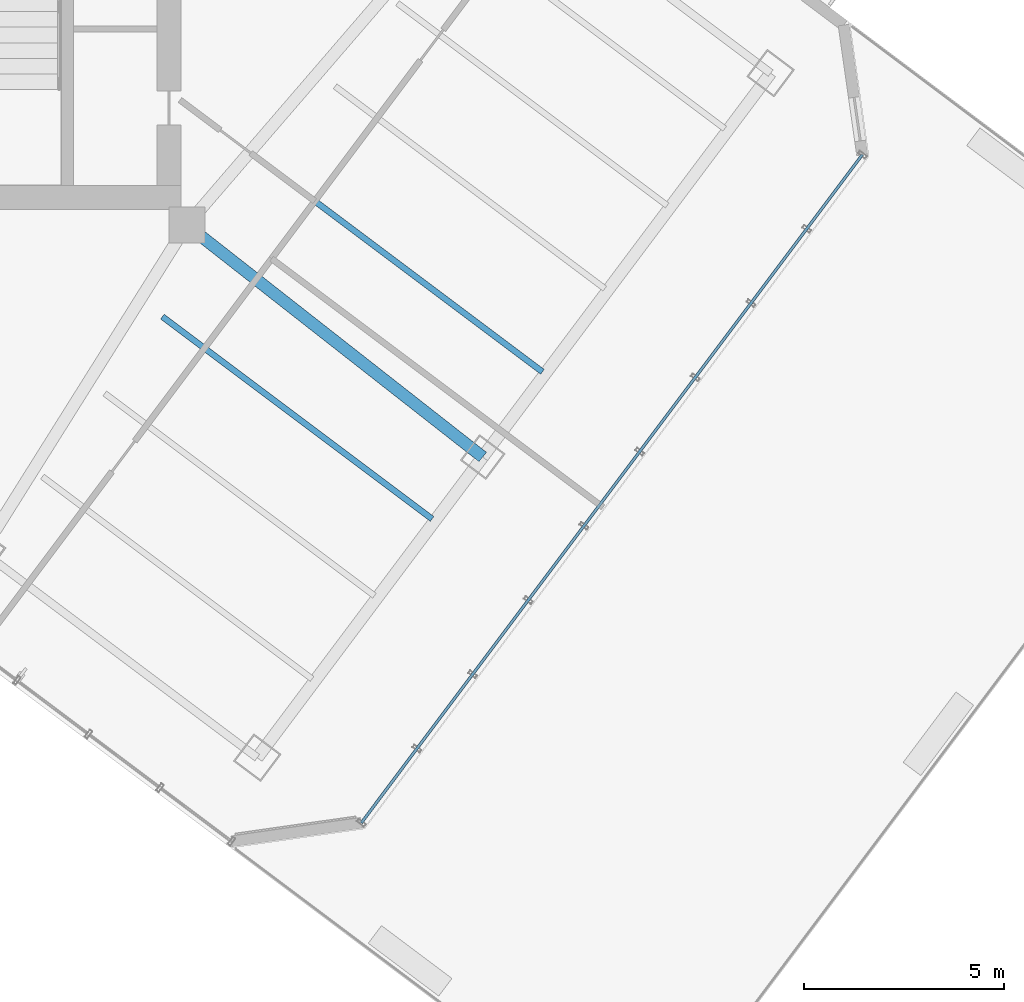
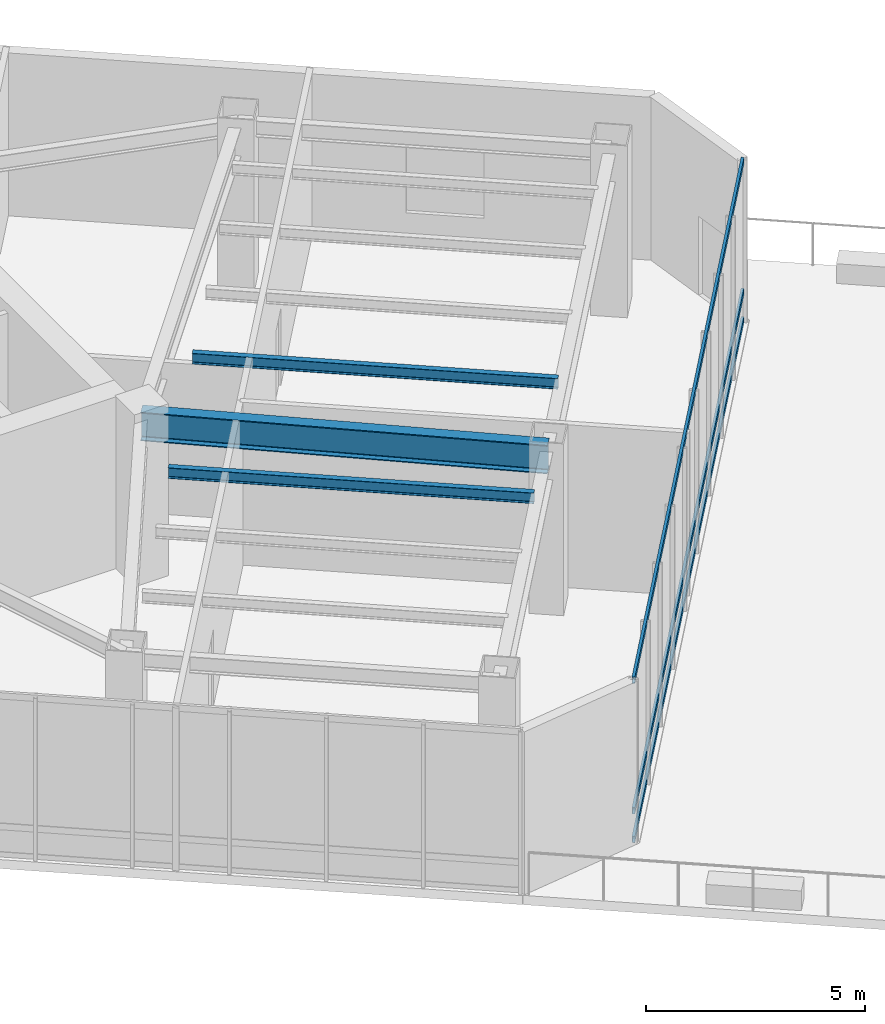
# One storey, part 11 of 30: 3 beams, 3 members, 1 element without a shape of its own.
"""IFC4 building model written with IfcOpenShell, lengths in metres."""

import ifcopenshell
import ifcopenshell.guid

model = None  # the IFC model being written
_history = None  # IfcOwnerHistory: only IFC2X3 demands one
_inside = {}  # id of a spatial element -> (the spatial element, [elements in it])
_under = {}  # id of a project, library or spatial element -> (it, [spatial elements below it])
_declared = {}  # id of a project -> (the project, [libraries it declares])
_typed = {}  # id of a type object -> (the type object, [elements of that type])
_made_of = {}  # id of a material, layer set ... -> (it, [elements and type objects made of it])


def new_model(schema):
    """Start an empty IFC model of exactly this schema.

    Asked for "IFC4X3", IfcOpenShell would pick the latest addendum, in which some entities
    have other attributes; the version numbers below select the first issue.
    IFC2X3 requires an IfcOwnerHistory on every rooted entity: one is made here for all.
    """
    global model, _history
    if schema == "IFC4X3":
        model = ifcopenshell.file(schema_version=(4, 3, 0, 0))
    else:
        model = ifcopenshell.file(schema=schema)
    _inside.clear()
    _under.clear()
    _declared.clear()
    _typed.clear()
    _made_of.clear()
    _history = None
    if model.schema == "IFC2X3":
        org = make("IfcOrganization", Name="unknown")
        user = make(
            "IfcPersonAndOrganization",
            ThePerson=make("IfcPerson", FamilyName="unknown"),
            TheOrganization=org,
        )
        app = make(
            "IfcApplication",
            ApplicationDeveloper=org,
            Version="unknown",
            ApplicationFullName="unknown",
            ApplicationIdentifier="unknown",
        )
        _history = make(
            "IfcOwnerHistory",
            OwningUser=user,
            OwningApplication=app,
            ChangeAction="ADDED",
            CreationDate=0,
        )
    return model


def make(cls, **values):
    """One entity of the class cls with the attributes given. An attribute that is None is left unset."""
    return model.create_entity(
        cls, **{name: value for name, value in values.items() if value is not None}
    )


def rooted(cls, **values):
    """An entity with a GlobalId (a new one), such as an element, a storey or a relation."""
    return make(cls, GlobalId=ifcopenshell.guid.new(), OwnerHistory=_history, **values)


def si_unit(unit_type, name, prefix=None):
    """IfcSIUnit, for example si_unit("LENGTHUNIT", "METRE", prefix="MILLI")."""
    return make("IfcSIUnit", UnitType=unit_type, Prefix=prefix, Name=name)


def assignment(units):
    """IfcUnitAssignment: the units of a project."""
    return None if units is None else make("IfcUnitAssignment", Units=units)


def point(xyz):
    """IfcCartesianPoint."""
    return None if xyz is None else make("IfcCartesianPoint", Coordinates=xyz)


def direction(xyz):
    """IfcDirection."""
    return None if xyz is None else make("IfcDirection", DirectionRatios=xyz)


def frame(location, z_axis=None, x_axis=None):
    """IfcAxis2Placement3D, a coordinate frame: its origin and axes. An axis left out is left unset."""
    return make(
        "IfcAxis2Placement3D",
        Location=point(location),
        Axis=direction(z_axis),
        RefDirection=direction(x_axis),
    )


def frame_2d(location, x_axis=None):
    """IfcAxis2Placement2D, a coordinate frame in the plane: its origin and x axis."""
    return make(
        "IfcAxis2Placement2D", Location=point(location), RefDirection=direction(x_axis)
    )


def origin():
    """The frame at (0, 0, 0) with its axes left unset."""
    return frame((0.0, 0.0, 0.0))


def origin_2d():
    """The frame at (0, 0) in the plane with its x axis left unset."""
    return frame_2d((0.0, 0.0))


def place(relative_to, where):
    """IfcLocalPlacement: puts the frame where relative to a parent placement (None: the world)."""
    return make(
        "IfcLocalPlacement", PlacementRelTo=relative_to, RelativePlacement=where
    )


def context(
    kind, dimensions, precision=None, world=None, true_north=None, identifier=None
):
    """IfcGeometricRepresentationContext, for example the 3D "Model" context."""
    return make(
        "IfcGeometricRepresentationContext",
        ContextIdentifier=identifier,
        ContextType=kind,
        CoordinateSpaceDimension=dimensions,
        Precision=precision,
        WorldCoordinateSystem=world,
        TrueNorth=true_north,
    )


def subcontext(parent, identifier, kind, view, scale=None):
    """IfcGeometricRepresentationSubContext, for example "Body" below "Model"."""
    return make(
        "IfcGeometricRepresentationSubContext",
        ContextIdentifier=identifier,
        ContextType=kind,
        ParentContext=parent,
        TargetScale=scale,
        TargetView=view,
    )


def project(units=None, contexts=None):
    """IfcProject with its units and contexts."""
    return rooted(
        "IfcProject",
        Name="project",
        RepresentationContexts=contexts,
        UnitsInContext=assignment(units),
    )


def spatial(cls, under=None, at=None, **own):
    """A site, building, storey or space (cls), placed at a placement, below another one or the project."""
    s = rooted(cls, ObjectPlacement=at, **own)
    if under is not None:
        _under.setdefault(under.id(), (under, []))[1].append(s)
    return s


def profile(cls, at=None, kind="AREA", **sizes):
    """A parametric profile (cls). Its sizes go by their IFC names, for example OverallWidth=200.0."""
    return make(cls, ProfileType=kind, Position=at, **sizes)


def hollow_rectangle(**sizes):
    """IfcRectangleHollowProfileDef."""
    return profile("IfcRectangleHollowProfileDef", **sizes)


def i_section(**sizes):
    """IfcIShapeProfileDef."""
    return profile("IfcIShapeProfileDef", **sizes)


def extrude(swept, where, along, depth):
    """IfcExtrudedAreaSolid: the profile swept, set in the frame where, extruded along a direction by depth."""
    return make(
        "IfcExtrudedAreaSolid",
        SweptArea=swept,
        Position=where,
        ExtrudedDirection=direction(along),
        Depth=depth,
    )


def shape(context_of_items, identifier, shape_type, items):
    """IfcShapeRepresentation: the items that make up one representation, for example the "Body"."""
    return make(
        "IfcShapeRepresentation",
        ContextOfItems=context_of_items,
        RepresentationIdentifier=identifier,
        RepresentationType=shape_type,
        Items=items,
    )


def material(Name=None, Category=None):
    """IfcMaterial."""
    return make("IfcMaterial", Name=Name, Category=Category)


def layer(
    of_material, thickness, ventilated=None, Name=None, Category=None, Priority=None
):
    """IfcMaterialLayer: one layer of a wall or slab, of a material (None: an air gap)."""
    return make(
        "IfcMaterialLayer",
        Material=of_material,
        LayerThickness=thickness,
        IsVentilated=ventilated,
        Name=Name,
        Category=Category,
        Priority=Priority,
    )


def layer_set(layers, Name=None):
    """IfcMaterialLayerSet."""
    return make("IfcMaterialLayerSet", MaterialLayers=layers, LayerSetName=Name)


def material_profile(
    of_material, cross_section, Name=None, Category=None, Priority=None
):
    """IfcMaterialProfile: a cross section and its material."""
    return make(
        "IfcMaterialProfile",
        Name=Name,
        Material=of_material,
        Profile=cross_section,
        Priority=Priority,
        Category=Category,
    )


def profile_set(profiles, Name=None, composite=None):
    """IfcMaterialProfileSet."""
    return make(
        "IfcMaterialProfileSet",
        Name=Name,
        MaterialProfiles=profiles,
        CompositeProfile=composite,
    )


def made_of(thing, what):
    """Note that an element or type object is made of a material, layer set ...; save() writes the relation."""
    if what is not None:
        _made_of.setdefault(what.id(), (what, []))[1].append(thing)
    return thing


def type_object(cls, material=None, **own):
    """A type object (cls), such as IfcWallType, which elements share."""
    return made_of(rooted(cls, **own), material)


def element(
    cls,
    number,
    at=None,
    inside=None,
    cuts=None,
    type_object=None,
    material=None,
    context=None,
    identifier="Body",
    shape_type=None,
    held_by="IfcProductDefinitionShape",
    body=None,
    shapes=None,
    **own,
):
    """One element of the class cls, such as IfcWall. Its Tag is "e" and its number.

    at: its placement. inside: the storey or other place that contains it. cuts: it is an
    opening in that element (IfcRelVoidsElement). A single representation is given by context,
    identifier, shape_type and body (its items); several are given by shapes. held_by: the class
    of the entity that holds the representations. save() writes the other relations.
    """
    e = rooted(cls, Tag="e%d" % number, ObjectPlacement=at, **own)
    if body is not None:
        shapes = [shape(context, identifier, shape_type, body)]
    if shapes is not None:
        e.Representation = make(held_by, Representations=shapes)
    if inside is not None:
        _inside.setdefault(inside.id(), (inside, []))[1].append(e)
    if cuts is not None:
        rooted(
            "IfcRelVoidsElement", RelatingBuildingElement=cuts, RelatedOpeningElement=e
        )
    if type_object is not None:
        _typed.setdefault(type_object.id(), (type_object, []))[1].append(e)
    return made_of(e, material)


def aggregate(whole, parts):
    """IfcRelAggregates: a whole, such as a stair, and the parts it consists of."""
    return rooted("IfcRelAggregates", RelatingObject=whole, RelatedObjects=parts)


def save(model, path):
    """Write the relations noted so far, then the file.

    IfcRelAggregates (storeys below a building ...), IfcRelContainedInSpatialStructure (elements
    in a storey), IfcRelDefinesByType, IfcRelAssociatesMaterial and IfcRelDeclares: one each for
    every whole, place, type object, material and project.
    """
    for whole, parts in _under.values():
        aggregate(whole, parts)
    for where, things in _inside.values():
        rooted(
            "IfcRelContainedInSpatialStructure",
            RelatedElements=things,
            RelatingStructure=where,
        )
    for kind, things in _typed.values():
        rooted("IfcRelDefinesByType", RelatedObjects=things, RelatingType=kind)
    for what, things in _made_of.values():
        rooted("IfcRelAssociatesMaterial", RelatedObjects=things, RelatingMaterial=what)
    for by, libraries in _declared.values():
        rooted("IfcRelDeclares", RelatingContext=by, RelatedDefinitions=libraries)
    model.write(path)


model = new_model("IFC4")

# Units and contexts
model_context = context("Model", 3, precision=1e-05, world=origin(), true_north=direction((0.0, 1.0)))
body_context = subcontext(model_context, "Body", "Model", "MODEL_VIEW")
ifc_project = project(units=[si_unit("LENGTHUNIT", "METRE"), si_unit("AREAUNIT", "SQUARE_METRE"), si_unit("VOLUMEUNIT", "CUBIC_METRE"), si_unit("PLANEANGLEUNIT", "RADIAN"), si_unit("MASSUNIT", "GRAM", prefix="KILO")], contexts=[model_context])

# Site, building, storey
site_placement = place(None, origin())
site = spatial("IfcSite", under=ifc_project, at=site_placement, CompositionType="ELEMENT")
building_placement = place(site_placement, origin())
building = spatial("IfcBuilding", under=site, at=building_placement, Name="Hatsunagi Terrace Concourse", CompositionType="ELEMENT")
storey_placement = place(building_placement, frame((0.0, 0.0, 130.050048828125)))
storey = spatial("IfcBuildingStorey", under=building, at=storey_placement, Name="L34", CompositionType="ELEMENT", Elevation=130.050048828125)

# Curtain wall, members
ifc_material_1 = material(Name="Anodised Aluminium Alloy 6063-T5", Category="aluminium")
ifc_layer = layer(ifc_material_1, 0.199951171875)
ifc_layer_set = layer_set([ifc_layer], Name="SkyLobbyAtrium_CW05")
curtain_wall_type = type_object("IfcCurtainWallType", Name="SkyLobbyAtrium_CW05", PredefinedType="NOTDEFINED", material=ifc_layer_set)
curtain_wall_placement = place(storey_placement, origin())
curtain_wall = element("IfcCurtainWall", 1, at=curtain_wall_placement, inside=storey, type_object=curtain_wall_type, Name="Unitised Curtain Wall CW-05 CW-L34-03", PredefinedType="NOTDEFINED")
ifc_material_2 = material(Name="Anodised Aluminium Alloy 6063-T5", Category="aluminium")
ifc_material_profile_1 = material_profile(ifc_material_2, hollow_rectangle(XDim=0.070068359375, YDim=0.179931640625, WallThickness=0.00390625, at=origin_2d()), Name="ALU-TRN-180x70x4")
ifc_profile_set_1 = profile_set([ifc_material_profile_1], Name="Anodised Aluminium Alloy 6063-T5")
member_type = type_object("IfcMemberType", Name="CurtainWallTransom_Heavy_180x70", PredefinedType="USERDEFINED", material=ifc_profile_set_1)
member_1_placement = place(storey_placement, frame((60.693115234375, 25.9580078125, 0.050048828125), z_axis=(-0.599970072971, -0.800022444397, 0.0), x_axis=(0.800022444397, -0.599970072971, 0.0)))
member_1 = element("IfcMember", 2, at=member_1_placement, type_object=member_type, Name="Curtain Wall Transom TRN-01", ObjectType="TRANSOM", PredefinedType="USERDEFINED", context=body_context, shape_type="SweptSolid", body=[
    extrude(hollow_rectangle(XDim=0.070068359375, YDim=0.179931640625, WallThickness=0.00390625, at=origin_2d()), origin(), (0.0, 0.0, 1.0), 20.884521484375),
])
member_2_placement = place(storey_placement, frame((60.693115234375, 25.9580078125, 0.849853515625), z_axis=(-0.599970072971, -0.800022444397, 0.0), x_axis=(0.800022444397, -0.599970072971, 0.0)))
member_2 = element("IfcMember", 3, at=member_2_placement, type_object=member_type, Name="Curtain Wall Transom TRN-01", ObjectType="TRANSOM", PredefinedType="USERDEFINED", context=body_context, shape_type="SweptSolid", body=[
    extrude(hollow_rectangle(XDim=0.070068359375, YDim=0.179931640625, WallThickness=0.00390625, at=origin_2d()), origin(), (0.0, 0.0, 1.0), 20.884521484375),
])
member_3_placement = place(storey_placement, frame((60.693115234375, 25.9580078125, 4.5), z_axis=(-0.599970072971, -0.800022444397, 0.0), x_axis=(0.800022444397, -0.599970072971, 0.0)))
member_3 = element("IfcMember", 4, at=member_3_placement, type_object=member_type, Name="Curtain Wall Transom TRN-01", ObjectType="TRANSOM", PredefinedType="USERDEFINED", context=body_context, shape_type="SweptSolid", body=[
    extrude(hollow_rectangle(XDim=0.070068359375, YDim=0.179931640625, WallThickness=0.00390625, at=origin_2d()), origin(), (0.0, 0.0, 1.0), 20.884521484375),
])
aggregate(curtain_wall, [member_1, member_2, member_3])

# Beams
ifc_material_3 = material(Name="Steel SN490B", Category="steel")
ifc_material_profile_2 = material_profile(ifc_material_3, i_section(OverallWidth=0.14990234375, OverallDepth=0.300048828125, WebThickness=0.006591796875, FlangeThickness=0.009033203125, FilletRadius=0.010986328125, at=origin_2d()), Name="H-300x150x6.5x9")
ifc_profile_set_2 = profile_set([ifc_material_profile_2], Name="Steel SN490B")
beam_type_1 = type_object("IfcBeamType", Name="OfficeJoist_H_300x150", PredefinedType="JOIST", material=ifc_profile_set_2)
for number, where, z_axis, x_axis, name in (
    (5, (43.18798828125, 21.908935546875, 4.39990234375), (0.800003475366, -0.59999536615, 0.0), (0.59999536615, 0.800003475366, 0.0), "Beam J-03 J-L34-SE-2-96"),
    (6, (45.947998046875, 25.589111328125, 4.39990234375), (0.799989573921, -0.600013901187, 0.0), (0.600013901187, 0.799989573921, 0.0), "Beam J-03 J-L34-SE-2-142"),
):
    element("IfcBeam", number, at=place(storey_placement, frame(where, z_axis=z_axis, x_axis=x_axis)), inside=storey, type_object=beam_type_1, Name=name, PredefinedType="JOIST", context=body_context, shape_type="SweptSolid", body=[
        extrude(i_section(OverallWidth=0.14990234375, OverallDepth=0.300048828125, WebThickness=0.006591796875, FlangeThickness=0.009033203125, FilletRadius=0.010986328125, at=origin_2d()), origin(), (0.0, 0.0, 1.0), 8.429931640625),
    ])
ifc_material_4 = material(Name="Steel SN490B", Category="steel")
ifc_material_profile_3 = material_profile(ifc_material_4, i_section(OverallWidth=0.300048828125, OverallDepth=0.800048828125, WebThickness=0.013916015625, FlangeThickness=0.02587890625, FilletRadius=0.02197265625, at=origin_2d()), Name="H-800x300x14x26")
ifc_profile_set_3 = profile_set([ifc_material_profile_3], Name="Steel SN490B")
beam_type_2 = type_object("IfcBeamType", Name="SkyLobbyGirder_H_800x300", PredefinedType="BEAM", material=ifc_profile_set_3)
beam_placement = place(storey_placement, frame((43.800048828125, 24.199951171875, 4.14990234375), z_axis=(0.787049441068, -0.616889923175, 0.0), x_axis=(0.616889923175, 0.787049441068, 0.0)))
element("IfcBeam", 7, at=beam_placement, inside=storey, type_object=beam_type_2, Name="Beam G-03 BM-L34-SE-M2", PredefinedType="BEAM", context=body_context, shape_type="SweptSolid", body=[
    extrude(i_section(OverallWidth=0.300048828125, OverallDepth=0.800048828125, WebThickness=0.013916015625, FlangeThickness=0.02587890625, FilletRadius=0.02197265625, at=origin_2d()), origin(), (0.0, 0.0, 1.0), 9.402099609375),
])

save(model, "model.ifc")
